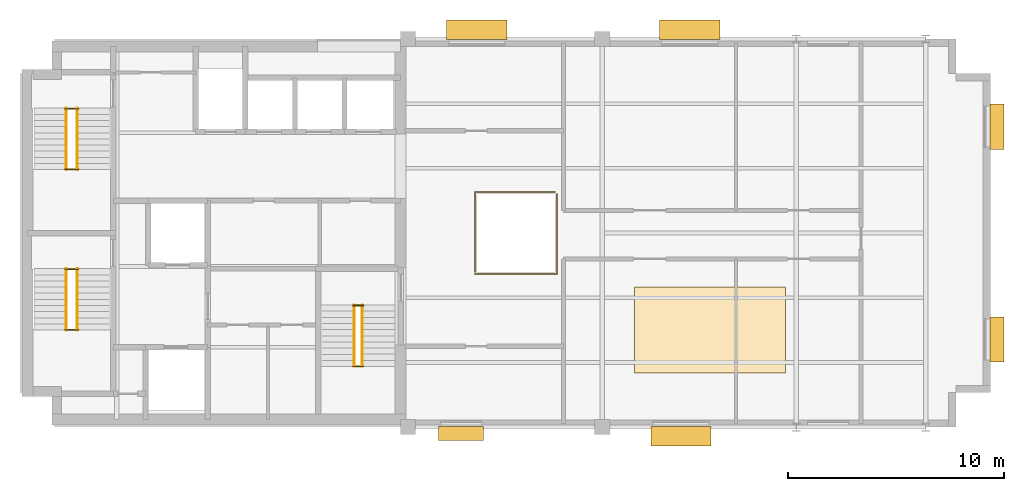
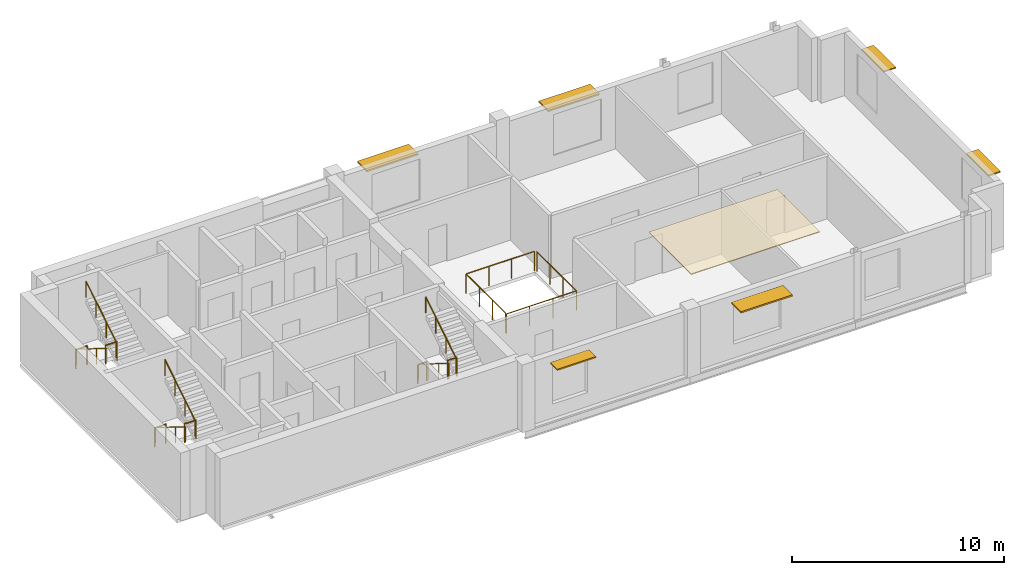
# One storey, part 5 of 5: 14 railings, 6 shading devices, 1 covering.
"""IFC4 building model written with IfcOpenShell, lengths in metres."""

from ifc_helpers import new_model, si_unit, direction, frame, origin, origin_2d, place, context, subcontext, project, spatial, polyline, rectangle, circle, outline, extrude, material, layer, layer_set, type_object, element, save


model = new_model("IFC4")

# Units and contexts
model_context = context("Model", 3, precision=1e-05, world=origin(), true_north=direction((0.0, 1.0)))
body_context = subcontext(model_context, "Body", "Model", "MODEL_VIEW")
ifc_project = project(units=[si_unit("LENGTHUNIT", "METRE"), si_unit("AREAUNIT", "SQUARE_METRE"), si_unit("VOLUMEUNIT", "CUBIC_METRE"), si_unit("PLANEANGLEUNIT", "RADIAN"), si_unit("MASSUNIT", "GRAM", prefix="KILO")], contexts=[model_context])

# Site, building, storey
site_placement = place(None, origin())
site = spatial("IfcSite", under=ifc_project, at=site_placement, CompositionType="ELEMENT")
building_placement = place(site_placement, origin())
building = spatial("IfcBuilding", under=site, at=building_placement, Name="Mawjdan Bourse Tower", CompositionType="ELEMENT")
storey_placement = place(building_placement, frame((0.0, 0.0, 309.300048828125)))
storey = spatial("IfcBuildingStorey", under=building, at=storey_placement, Name="L76", CompositionType="ELEMENT", Elevation=309.300048828125)

# Covering
ifc_material_1 = material(Name="Perforated Mineral-Fibre Acoustic Ceiling")
ifc_layer_1 = layer(ifc_material_1, 0.044921875)
ifc_layer_set_1 = layer_set([ifc_layer_1], Name="Perforated Mineral-Fibre Acoustic Ceiling")
covering_type = type_object("IfcCoveringType", Name="COV-CLG-AC", PredefinedType="CEILING", material=ifc_layer_set_1)
covering_placement = place(storey_placement, frame((0.0, 0.0, 3.574951171875)))
element("IfcCovering", 1, at=covering_placement, inside=storey, type_object=covering_type, Name="L76 Suspended Acoustic Ceiling", PredefinedType="CEILING", context=body_context, shape_type="SweptSolid", body=[
    extrude(outline(polyline([(34.5, 5.5), (41.5, 5.5), (41.5, 9.5), (34.5, 9.5), (34.5, 5.5)])), origin(), (0.0, 0.0, 1.0), 0.044921875),
])

# Railings
ifc_material_2 = material(Name="Stainless Steel and Laminated Glass", Category="steel")
railing_type_1 = type_object("IfcRailingType", Name="RLG-BAL-1150", PredefinedType="BALUSTRADE", material=ifc_material_2)
railing_1_placement = place(storey_placement, frame((27.10009765625, 10.10009765625, 0.0)))
element("IfcRailing", 2, at=railing_1_placement, inside=storey, type_object=railing_type_1, Name="L76 Summit Atrium Lightwell Balustrade SE", PredefinedType="BALUSTRADE", context=body_context, shape_type="SweptSolid", body=[
    extrude(circle(Radius=0.02685546875, at=origin_2d()), frame((0.0, 0.0, 1.123046875), z_axis=(1.0, 0.0, 0.0), x_axis=(0.0, 1.0, 0.0)), (0.0, 0.0, 1.0), 3.7998046875),
    extrude(circle(Radius=0.02685546875, at=origin_2d()), frame((3.7998046875, 0.0, 1.123046875), z_axis=(0.0, 1.0, 0.0), x_axis=(-1.0, 0.0, 0.0)), (0.0, 0.0, 1.0), 3.719970703125),
    extrude(circle(Radius=0.02294921875, at=origin_2d()), origin(), (0.0, 0.0, 1.0), 1.095947265625),
    extrude(circle(Radius=0.02294921875, at=origin_2d()), frame((1.2666015625, 0.0, 0.0)), (0.0, 0.0, 1.0), 1.095947265625),
    extrude(circle(Radius=0.02294921875, at=origin_2d()), frame((2.533203125, 0.0, 0.0)), (0.0, 0.0, 1.0), 1.095947265625),
    extrude(circle(Radius=0.02294921875, at=origin_2d()), frame((3.7998046875, 0.0, 0.0)), (0.0, 0.0, 1.0), 1.095947265625),
    extrude(circle(Radius=0.02294921875, at=origin_2d()), frame((3.7998046875, 1.239990234375, 0.0)), (0.0, 0.0, 1.0), 1.095947265625),
    extrude(circle(Radius=0.02294921875, at=origin_2d()), frame((3.7998046875, 2.47998046875, 0.0)), (0.0, 0.0, 1.0), 1.095947265625),
    extrude(circle(Radius=0.02294921875, at=origin_2d()), frame((3.7998046875, 3.719970703125, 0.0)), (0.0, 0.0, 1.0), 1.095947265625),
])
railing_2_placement = place(storey_placement, frame((30.820068359375, 13.89990234375, 0.0)))
element("IfcRailing", 3, at=railing_2_placement, inside=storey, type_object=railing_type_1, Name="L76 Summit Atrium Lightwell Balustrade NW", PredefinedType="BALUSTRADE", context=body_context, shape_type="SweptSolid", body=[
    extrude(circle(Radius=0.02685546875, at=origin_2d()), frame((0.0, 0.0, 1.123046875), z_axis=(-1.0, 0.0, 0.0), x_axis=(0.0, -1.0, 0.0)), (0.0, 0.0, 1.0), 3.719970703125),
    extrude(circle(Radius=0.02685546875, at=origin_2d()), frame((-3.719970703125, 0.0, 1.123046875), z_axis=(0.0, -1.0, 0.0), x_axis=(1.0, 0.0, 0.0)), (0.0, 0.0, 1.0), 3.719970703125),
    extrude(circle(Radius=0.02294921875, at=origin_2d()), origin(), (0.0, 0.0, 1.0), 1.095947265625),
    extrude(circle(Radius=0.02294921875, at=origin_2d()), frame((-1.239990234375, 0.0, 0.0)), (0.0, 0.0, 1.0), 1.095947265625),
    extrude(circle(Radius=0.02294921875, at=origin_2d()), frame((-2.47998046875, 0.0, 0.0)), (0.0, 0.0, 1.0), 1.095947265625),
    extrude(circle(Radius=0.02294921875, at=origin_2d()), frame((-3.719970703125, 0.0, 0.0)), (0.0, 0.0, 1.0), 1.095947265625),
    extrude(circle(Radius=0.02294921875, at=origin_2d()), frame((-3.719970703125, -1.239990234375, 0.0)), (0.0, 0.0, 1.0), 1.095947265625),
    extrude(circle(Radius=0.02294921875, at=origin_2d()), frame((-3.719970703125, -2.47998046875, 0.0)), (0.0, 0.0, 1.0), 1.095947265625),
    extrude(circle(Radius=0.02294921875, at=origin_2d()), frame((-3.719970703125, -3.719970703125, 0.0)), (0.0, 0.0, 1.0), 1.095947265625),
])
ifc_material_3 = material(Name="Structural Steel S355", Category="steel")
railing_type_2 = type_object("IfcRailingType", Name="RLG-GRD-1100", PredefinedType="GUARDRAIL", material=ifc_material_3)
for number, where, name in (
    (4, (8.090087890625, 7.52001953125, 1.949951171875), "L76 ST1 Landing Guardrail GL-MID"),
    (5, (8.090087890625, 10.330078125, 0.0), "L76 ST1 Landing Guardrail GL-BOT"),
    (6, (8.090087890625, 14.9599609375, 1.949951171875), "L76 ST2 Landing Guardrail GL-MID"),
    (7, (8.090087890625, 17.77001953125, 0.0), "L76 ST2 Landing Guardrail GL-BOT"),
):
    element("IfcRailing", number, at=place(storey_placement, frame(where)), inside=storey, type_object=railing_type_2, Name=name, PredefinedType="GUARDRAIL", context=body_context, shape_type="SweptSolid", body=[
        extrude(circle(Radius=0.02490234375, at=origin_2d()), frame((0.0, 0.0, 1.0751953125), z_axis=(1.0, 0.0, 0.0), x_axis=(0.0, 1.0, 0.0)), (0.0, 0.0, 1.0), 0.619873046875),
        extrude(circle(Radius=0.02099609375, at=origin_2d()), origin(), (0.0, 0.0, 1.0), 1.050048828125),
        extrude(circle(Radius=0.02099609375, at=origin_2d()), frame((0.619873046875, 0.0, 0.0)), (0.0, 0.0, 1.0), 1.050048828125),
    ])
for number, where, name in (
    (8, (21.43994140625, 5.830078125, 1.949951171875), "L76 ST7 Landing Guardrail GL-MID"),
    (9, (21.43994140625, 8.639892578125, 0.0), "L76 ST7 Landing Guardrail GL-BOT"),
):
    element("IfcRailing", number, at=place(storey_placement, frame(where)), inside=storey, type_object=railing_type_2, Name=name, PredefinedType="GUARDRAIL", context=body_context, shape_type="SweptSolid", body=[
        extrude(circle(Radius=0.02490234375, at=origin_2d()), frame((0.0, 0.0, 1.0751953125), z_axis=(1.0, 0.0, 0.0), x_axis=(0.0, 1.0, 0.0)), (0.0, 0.0, 1.0), 0.489990234375),
        extrude(circle(Radius=0.02099609375, at=origin_2d()), origin(), (0.0, 0.0, 1.0), 1.050048828125),
        extrude(circle(Radius=0.02099609375, at=origin_2d()), frame((0.489990234375, 0.0, 0.0)), (0.0, 0.0, 1.0), 1.050048828125),
    ])
ifc_material_4 = material(Name="Brushed Stainless Steel", Category="steel")
railing_type_3 = type_object("IfcRailingType", Name="RLG-HND-920", PredefinedType="HANDRAIL", material=ifc_material_4)
railing_3_placement = place(storey_placement, frame((8.139892578125, 10.35009765625, 0.17724609375)))
element("IfcRailing", 10, at=railing_3_placement, inside=storey, type_object=railing_type_3, Name="L76 ST1 Flight Handrail HR1", PredefinedType="HANDRAIL", context=body_context, shape_type="SweptSolid", body=[
    extrude(circle(Radius=0.0224609375, at=origin_2d()), frame((0.0, 0.0, 0.8974609375), z_axis=(0.0, -0.849148672731, 0.528153890072), x_axis=(1.0, 0.0, 0.0)), (0.0, 0.0, 1.0), 3.3564453125),
    extrude(circle(Radius=0.01904296875, at=origin_2d()), origin(), (0.0, 0.0, 1.0), 0.875),
    extrude(circle(Radius=0.01904296875, at=origin_2d()), frame((0.0, -0.949951171875, 0.5908203125)), (0.0, 0.0, 1.0), 0.875),
    extrude(circle(Radius=0.01904296875, at=origin_2d()), frame((0.0, -1.900146484375, 1.181884765625)), (0.0, 0.0, 1.0), 0.875),
    extrude(circle(Radius=0.01904296875, at=origin_2d()), frame((0.0, -2.85009765625, 1.772705078125)), (0.0, 0.0, 1.0), 0.875),
])
railing_4_placement = place(storey_placement, frame((8.659912109375, 7.5, 2.127197265625)))
element("IfcRailing", 11, at=railing_4_placement, inside=storey, type_object=railing_type_3, Name="L76 ST1 Flight Handrail HR2", PredefinedType="HANDRAIL", context=body_context, shape_type="SweptSolid", body=[
    extrude(circle(Radius=0.0224609375, at=origin_2d()), frame((0.0, 0.0, 0.8974609375), z_axis=(0.0, 0.849148672731, 0.528153890072), x_axis=(-1.0, 0.0, 0.0)), (0.0, 0.0, 1.0), 3.3564453125),
    extrude(circle(Radius=0.01904296875, at=origin_2d()), origin(), (0.0, 0.0, 1.0), 0.875),
    extrude(circle(Radius=0.01904296875, at=origin_2d()), frame((0.0, 0.949951171875, 0.5908203125)), (0.0, 0.0, 1.0), 0.875),
    extrude(circle(Radius=0.01904296875, at=origin_2d()), frame((0.0, 1.900146484375, 1.181884765625)), (0.0, 0.0, 1.0), 0.875),
    extrude(circle(Radius=0.01904296875, at=origin_2d()), frame((0.0, 2.85009765625, 1.772705078125)), (0.0, 0.0, 1.0), 0.875),
])
railing_5_placement = place(storey_placement, frame((8.139892578125, 17.7900390625, 0.17724609375)))
element("IfcRailing", 12, at=railing_5_placement, inside=storey, type_object=railing_type_3, Name="L76 ST2 Flight Handrail HR1", PredefinedType="HANDRAIL", context=body_context, shape_type="SweptSolid", body=[
    extrude(circle(Radius=0.0224609375, at=origin_2d()), frame((0.0, 0.0, 0.8974609375), z_axis=(0.0, -0.849148672731, 0.528153890072), x_axis=(1.0, 0.0, 0.0)), (0.0, 0.0, 1.0), 3.3564453125),
    extrude(circle(Radius=0.01904296875, at=origin_2d()), origin(), (0.0, 0.0, 1.0), 0.875),
    extrude(circle(Radius=0.01904296875, at=origin_2d()), frame((0.0, -0.949951171875, 0.5908203125)), (0.0, 0.0, 1.0), 0.875),
    extrude(circle(Radius=0.01904296875, at=origin_2d()), frame((0.0, -1.900146484375, 1.181884765625)), (0.0, 0.0, 1.0), 0.875),
    extrude(circle(Radius=0.01904296875, at=origin_2d()), frame((0.0, -2.85009765625, 1.772705078125)), (0.0, 0.0, 1.0), 0.875),
])
railing_6_placement = place(storey_placement, frame((8.659912109375, 14.93994140625, 2.127197265625)))
element("IfcRailing", 13, at=railing_6_placement, inside=storey, type_object=railing_type_3, Name="L76 ST2 Flight Handrail HR2", PredefinedType="HANDRAIL", context=body_context, shape_type="SweptSolid", body=[
    extrude(circle(Radius=0.0224609375, at=origin_2d()), frame((0.0, 0.0, 0.8974609375), z_axis=(0.0, 0.849148672731, 0.528153890072), x_axis=(-1.0, 0.0, 0.0)), (0.0, 0.0, 1.0), 3.3564453125),
    extrude(circle(Radius=0.01904296875, at=origin_2d()), origin(), (0.0, 0.0, 1.0), 0.875),
    extrude(circle(Radius=0.01904296875, at=origin_2d()), frame((0.0, 0.949951171875, 0.5908203125)), (0.0, 0.0, 1.0), 0.875),
    extrude(circle(Radius=0.01904296875, at=origin_2d()), frame((0.0, 1.900146484375, 1.181884765625)), (0.0, 0.0, 1.0), 0.875),
    extrude(circle(Radius=0.01904296875, at=origin_2d()), frame((0.0, 2.85009765625, 1.772705078125)), (0.0, 0.0, 1.0), 0.875),
])
railing_7_placement = place(storey_placement, frame((21.489990234375, 8.659912109375, 0.17724609375)))
element("IfcRailing", 14, at=railing_7_placement, inside=storey, type_object=railing_type_3, Name="L76 ST7 Flight Handrail HR1", PredefinedType="HANDRAIL", context=body_context, shape_type="SweptSolid", body=[
    extrude(circle(Radius=0.0224609375, at=origin_2d()), frame((0.0, 0.0, 0.8974609375), z_axis=(0.0, -0.849128380713, 0.528186513523), x_axis=(1.0, 0.0, 0.0)), (0.0, 0.0, 1.0), 3.356201171875),
    extrude(circle(Radius=0.01904296875, at=origin_2d()), origin(), (0.0, 0.0, 1.0), 0.875),
    extrude(circle(Radius=0.01904296875, at=origin_2d()), frame((0.0, -0.949951171875, 0.5908203125)), (0.0, 0.0, 1.0), 0.875),
    extrude(circle(Radius=0.01904296875, at=origin_2d()), frame((0.0, -1.89990234375, 1.181884765625)), (0.0, 0.0, 1.0), 0.875),
    extrude(circle(Radius=0.01904296875, at=origin_2d()), frame((0.0, -2.849853515625, 1.772705078125)), (0.0, 0.0, 1.0), 0.875),
])
railing_8_placement = place(storey_placement, frame((21.8798828125, 5.81005859375, 2.127197265625)))
element("IfcRailing", 15, at=railing_8_placement, inside=storey, type_object=railing_type_3, Name="L76 ST7 Flight Handrail HR2", PredefinedType="HANDRAIL", context=body_context, shape_type="SweptSolid", body=[
    extrude(circle(Radius=0.0224609375, at=origin_2d()), frame((0.0, 0.0, 0.8974609375), z_axis=(0.0, 0.849128380713, 0.528186513523), x_axis=(-1.0, 0.0, 0.0)), (0.0, 0.0, 1.0), 3.356201171875),
    extrude(circle(Radius=0.01904296875, at=origin_2d()), origin(), (0.0, 0.0, 1.0), 0.875),
    extrude(circle(Radius=0.01904296875, at=origin_2d()), frame((0.0, 0.949951171875, 0.5908203125)), (0.0, 0.0, 1.0), 0.875),
    extrude(circle(Radius=0.01904296875, at=origin_2d()), frame((0.0, 1.89990234375, 1.181884765625)), (0.0, 0.0, 1.0), 0.875),
    extrude(circle(Radius=0.01904296875, at=origin_2d()), frame((0.0, 2.849853515625, 1.772705078125)), (0.0, 0.0, 1.0), 0.875),
])

# Shading devices
ifc_material_5 = material(Name="Bronze Anodised Aluminium", Category="aluminium")
ifc_layer_2 = layer(ifc_material_5, 0.074951171875)
ifc_layer_set_2 = layer_set([ifc_layer_2], Name="Bronze Anodised Aluminium")
shading_device_type_1 = type_object("IfcShadingDeviceType", Name="SHD-SUN-650", PredefinedType="USERDEFINED", material=ifc_layer_set_2)
for number, where, z_axis, x_axis, name in (
    (16, (26.449951171875, 2.695068359375, 3.14990234375), (0.0, 0.0, 1.0), (1.0, 0.0, 0.0), "L76 Solar Window Hood 01"),
    (17, (51.304931640625, 7.066650390625, 3.14990234375), (0.0, 0.0, 1.0), (0.0, 1.0, 0.0), "L76 Solar Window Hood 03"),
    (18, (51.304931640625, 16.933349609375, 3.14990234375), (0.0, 0.0, 1.0), (0.0, 1.0, 0.0), "L76 Solar Window Hood 04"),
):
    element("IfcShadingDevice", number, at=place(storey_placement, frame(where, z_axis=z_axis, x_axis=x_axis)), inside=storey, type_object=shading_device_type_1, Name=name, ObjectType="SUNSHADE", PredefinedType="USERDEFINED", context=body_context, shape_type="SweptSolid", body=[
        extrude(rectangle(XDim=2.10009765625, YDim=0.64990234375, at=origin_2d()), origin(), (0.0, 0.0, 1.0), 0.074951171875),
    ])
ifc_layer_3 = layer(ifc_material_5, 0.0849609375)
ifc_layer_set_3 = layer_set([ifc_layer_3], Name="Bronze Anodised Aluminium")
shading_device_type_2 = type_object("IfcShadingDeviceType", Name="SHD-SUN-900", PredefinedType="USERDEFINED", material=ifc_layer_set_3)
for number, where, z_axis, x_axis, name in (
    (19, (36.64990234375, 2.570068359375, 3.14990234375), (0.0, 0.0, 1.0), (1.0, 0.0, 0.0), "L76 Solar Window Hood 02"),
    (20, (37.058349609375, 21.429931640625, 3.14990234375), (0.0, 0.0, 1.0), (-1.0, 0.0, 0.0), "L76 Solar Window Hood 05"),
    (21, (27.18505859375, 21.429931640625, 3.14990234375), (0.0, 0.0, 1.0), (-1.0, 0.0, 0.0), "L76 Solar Window Hood 06"),
):
    element("IfcShadingDevice", number, at=place(storey_placement, frame(where, z_axis=z_axis, x_axis=x_axis)), inside=storey, type_object=shading_device_type_2, Name=name, ObjectType="SUNSHADE", PredefinedType="USERDEFINED", context=body_context, shape_type="SweptSolid", body=[
        extrude(rectangle(XDim=2.800048828125, YDim=0.89990234375, at=origin_2d()), origin(), (0.0, 0.0, 1.0), 0.0849609375),
    ])

save(model, "model.ifc")
